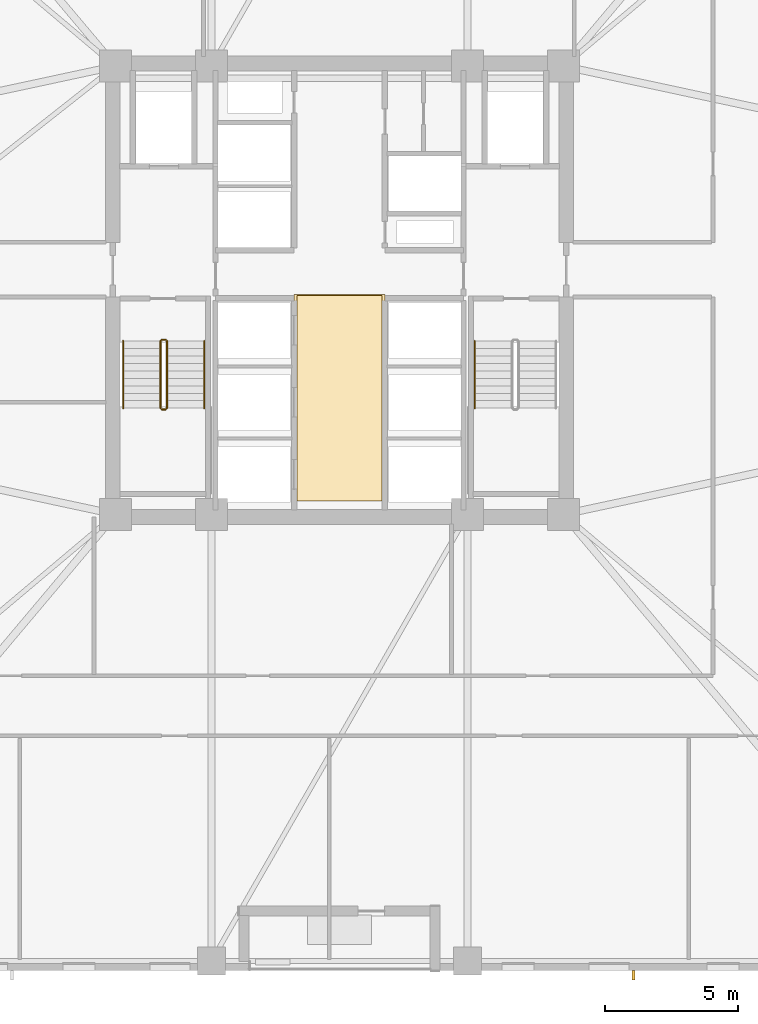
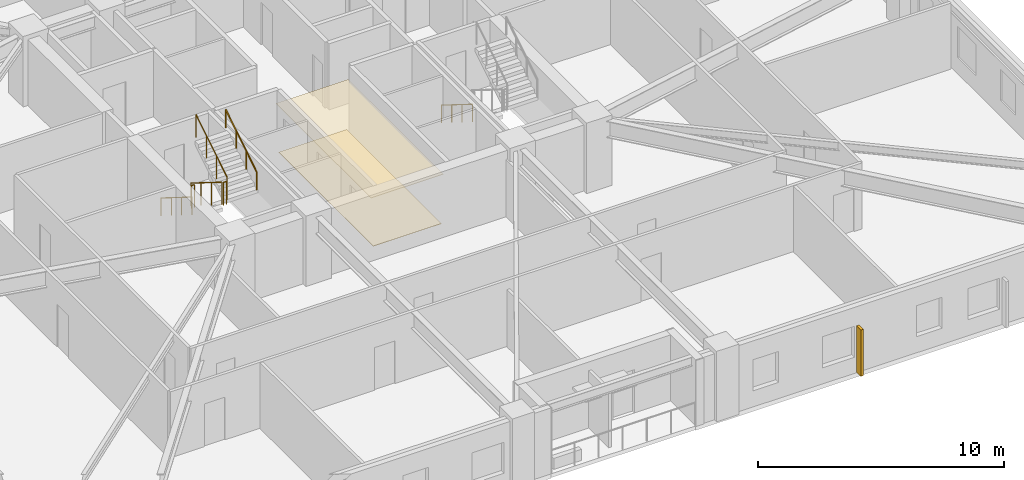
# One storey, part 8 of 11: 7 railings, 2 coverings, 1 shading device.
"""IFC4 building model written with IfcOpenShell, lengths in metres."""

import ifcopenshell
import ifcopenshell.guid

model = None  # the IFC model being written
_history = None  # IfcOwnerHistory: only IFC2X3 demands one
_inside = {}  # id of a spatial element -> (the spatial element, [elements in it])
_under = {}  # id of a project, library or spatial element -> (it, [spatial elements below it])
_declared = {}  # id of a project -> (the project, [libraries it declares])
_typed = {}  # id of a type object -> (the type object, [elements of that type])
_made_of = {}  # id of a material, layer set ... -> (it, [elements and type objects made of it])


def new_model(schema):
    """Start an empty IFC model of exactly this schema.

    Asked for "IFC4X3", IfcOpenShell would pick the latest addendum, in which some entities
    have other attributes; the version numbers below select the first issue.
    IFC2X3 requires an IfcOwnerHistory on every rooted entity: one is made here for all.
    """
    global model, _history
    if schema == "IFC4X3":
        model = ifcopenshell.file(schema_version=(4, 3, 0, 0))
    else:
        model = ifcopenshell.file(schema=schema)
    _inside.clear()
    _under.clear()
    _declared.clear()
    _typed.clear()
    _made_of.clear()
    _history = None
    if model.schema == "IFC2X3":
        org = make("IfcOrganization", Name="unknown")
        user = make(
            "IfcPersonAndOrganization",
            ThePerson=make("IfcPerson", FamilyName="unknown"),
            TheOrganization=org,
        )
        app = make(
            "IfcApplication",
            ApplicationDeveloper=org,
            Version="unknown",
            ApplicationFullName="unknown",
            ApplicationIdentifier="unknown",
        )
        _history = make(
            "IfcOwnerHistory",
            OwningUser=user,
            OwningApplication=app,
            ChangeAction="ADDED",
            CreationDate=0,
        )
    return model


def make(cls, **values):
    """One entity of the class cls with the attributes given. An attribute that is None is left unset."""
    return model.create_entity(
        cls, **{name: value for name, value in values.items() if value is not None}
    )


def rooted(cls, **values):
    """An entity with a GlobalId (a new one), such as an element, a storey or a relation."""
    return make(cls, GlobalId=ifcopenshell.guid.new(), OwnerHistory=_history, **values)


def si_unit(unit_type, name, prefix=None):
    """IfcSIUnit, for example si_unit("LENGTHUNIT", "METRE", prefix="MILLI")."""
    return make("IfcSIUnit", UnitType=unit_type, Prefix=prefix, Name=name)


def assignment(units):
    """IfcUnitAssignment: the units of a project."""
    return None if units is None else make("IfcUnitAssignment", Units=units)


def point(xyz):
    """IfcCartesianPoint."""
    return None if xyz is None else make("IfcCartesianPoint", Coordinates=xyz)


def direction(xyz):
    """IfcDirection."""
    return None if xyz is None else make("IfcDirection", DirectionRatios=xyz)


def frame(location, z_axis=None, x_axis=None):
    """IfcAxis2Placement3D, a coordinate frame: its origin and axes. An axis left out is left unset."""
    return make(
        "IfcAxis2Placement3D",
        Location=point(location),
        Axis=direction(z_axis),
        RefDirection=direction(x_axis),
    )


def frame_2d(location, x_axis=None):
    """IfcAxis2Placement2D, a coordinate frame in the plane: its origin and x axis."""
    return make(
        "IfcAxis2Placement2D", Location=point(location), RefDirection=direction(x_axis)
    )


def origin():
    """The frame at (0, 0, 0) with its axes left unset."""
    return frame((0.0, 0.0, 0.0))


def origin_2d():
    """The frame at (0, 0) in the plane with its x axis left unset."""
    return frame_2d((0.0, 0.0))


def place(relative_to, where):
    """IfcLocalPlacement: puts the frame where relative to a parent placement (None: the world)."""
    return make(
        "IfcLocalPlacement", PlacementRelTo=relative_to, RelativePlacement=where
    )


def context(
    kind, dimensions, precision=None, world=None, true_north=None, identifier=None
):
    """IfcGeometricRepresentationContext, for example the 3D "Model" context."""
    return make(
        "IfcGeometricRepresentationContext",
        ContextIdentifier=identifier,
        ContextType=kind,
        CoordinateSpaceDimension=dimensions,
        Precision=precision,
        WorldCoordinateSystem=world,
        TrueNorth=true_north,
    )


def subcontext(parent, identifier, kind, view, scale=None):
    """IfcGeometricRepresentationSubContext, for example "Body" below "Model"."""
    return make(
        "IfcGeometricRepresentationSubContext",
        ContextIdentifier=identifier,
        ContextType=kind,
        ParentContext=parent,
        TargetScale=scale,
        TargetView=view,
    )


def project(units=None, contexts=None):
    """IfcProject with its units and contexts."""
    return rooted(
        "IfcProject",
        Name="project",
        RepresentationContexts=contexts,
        UnitsInContext=assignment(units),
    )


def spatial(cls, under=None, at=None, **own):
    """A site, building, storey or space (cls), placed at a placement, below another one or the project."""
    s = rooted(cls, ObjectPlacement=at, **own)
    if under is not None:
        _under.setdefault(under.id(), (under, []))[1].append(s)
    return s


def polyline(points):
    """IfcPolyline through the points."""
    return make("IfcPolyline", Points=[point(p) for p in points])


def profile(cls, at=None, kind="AREA", **sizes):
    """A parametric profile (cls). Its sizes go by their IFC names, for example OverallWidth=200.0."""
    return make(cls, ProfileType=kind, Position=at, **sizes)


def rectangle(**sizes):
    """IfcRectangleProfileDef."""
    return profile("IfcRectangleProfileDef", **sizes)


def circle(**sizes):
    """IfcCircleProfileDef."""
    return profile("IfcCircleProfileDef", **sizes)


def outline(outer, holes=None, kind="AREA"):
    """IfcArbitraryClosedProfileDef: a profile drawn as a closed curve; with holes, ...WithVoids."""
    if holes is None:
        return make("IfcArbitraryClosedProfileDef", ProfileType=kind, OuterCurve=outer)
    return make(
        "IfcArbitraryProfileDefWithVoids",
        ProfileType=kind,
        OuterCurve=outer,
        InnerCurves=holes,
    )


def extrude(swept, where, along, depth):
    """IfcExtrudedAreaSolid: the profile swept, set in the frame where, extruded along a direction by depth."""
    return make(
        "IfcExtrudedAreaSolid",
        SweptArea=swept,
        Position=where,
        ExtrudedDirection=direction(along),
        Depth=depth,
    )


def shape(context_of_items, identifier, shape_type, items):
    """IfcShapeRepresentation: the items that make up one representation, for example the "Body"."""
    return make(
        "IfcShapeRepresentation",
        ContextOfItems=context_of_items,
        RepresentationIdentifier=identifier,
        RepresentationType=shape_type,
        Items=items,
    )


def material(Name=None, Category=None):
    """IfcMaterial."""
    return make("IfcMaterial", Name=Name, Category=Category)


def layer(
    of_material, thickness, ventilated=None, Name=None, Category=None, Priority=None
):
    """IfcMaterialLayer: one layer of a wall or slab, of a material (None: an air gap)."""
    return make(
        "IfcMaterialLayer",
        Material=of_material,
        LayerThickness=thickness,
        IsVentilated=ventilated,
        Name=Name,
        Category=Category,
        Priority=Priority,
    )


def layer_set(layers, Name=None):
    """IfcMaterialLayerSet."""
    return make("IfcMaterialLayerSet", MaterialLayers=layers, LayerSetName=Name)


def made_of(thing, what):
    """Note that an element or type object is made of a material, layer set ...; save() writes the relation."""
    if what is not None:
        _made_of.setdefault(what.id(), (what, []))[1].append(thing)
    return thing


def type_object(cls, material=None, **own):
    """A type object (cls), such as IfcWallType, which elements share."""
    return made_of(rooted(cls, **own), material)


def element(
    cls,
    number,
    at=None,
    inside=None,
    cuts=None,
    type_object=None,
    material=None,
    context=None,
    identifier="Body",
    shape_type=None,
    held_by="IfcProductDefinitionShape",
    body=None,
    shapes=None,
    **own,
):
    """One element of the class cls, such as IfcWall. Its Tag is "e" and its number.

    at: its placement. inside: the storey or other place that contains it. cuts: it is an
    opening in that element (IfcRelVoidsElement). A single representation is given by context,
    identifier, shape_type and body (its items); several are given by shapes. held_by: the class
    of the entity that holds the representations. save() writes the other relations.
    """
    e = rooted(cls, Tag="e%d" % number, ObjectPlacement=at, **own)
    if body is not None:
        shapes = [shape(context, identifier, shape_type, body)]
    if shapes is not None:
        e.Representation = make(held_by, Representations=shapes)
    if inside is not None:
        _inside.setdefault(inside.id(), (inside, []))[1].append(e)
    if cuts is not None:
        rooted(
            "IfcRelVoidsElement", RelatingBuildingElement=cuts, RelatedOpeningElement=e
        )
    if type_object is not None:
        _typed.setdefault(type_object.id(), (type_object, []))[1].append(e)
    return made_of(e, material)


def aggregate(whole, parts):
    """IfcRelAggregates: a whole, such as a stair, and the parts it consists of."""
    return rooted("IfcRelAggregates", RelatingObject=whole, RelatedObjects=parts)


def save(model, path):
    """Write the relations noted so far, then the file.

    IfcRelAggregates (storeys below a building ...), IfcRelContainedInSpatialStructure (elements
    in a storey), IfcRelDefinesByType, IfcRelAssociatesMaterial and IfcRelDeclares: one each for
    every whole, place, type object, material and project.
    """
    for whole, parts in _under.values():
        aggregate(whole, parts)
    for where, things in _inside.values():
        rooted(
            "IfcRelContainedInSpatialStructure",
            RelatedElements=things,
            RelatingStructure=where,
        )
    for kind, things in _typed.values():
        rooted("IfcRelDefinesByType", RelatedObjects=things, RelatingType=kind)
    for what, things in _made_of.values():
        rooted("IfcRelAssociatesMaterial", RelatedObjects=things, RelatingMaterial=what)
    for by, libraries in _declared.values():
        rooted("IfcRelDeclares", RelatingContext=by, RelatedDefinitions=libraries)
    model.write(path)


model = new_model("IFC4")

# Units and contexts
model_context = context("Model", 3, precision=1e-05, world=origin(), true_north=direction((0.0, 1.0)))
body_context = subcontext(model_context, "Body", "Model", "MODEL_VIEW")
ifc_project = project(units=[si_unit("LENGTHUNIT", "METRE"), si_unit("AREAUNIT", "SQUARE_METRE"), si_unit("VOLUMEUNIT", "CUBIC_METRE"), si_unit("PLANEANGLEUNIT", "RADIAN"), si_unit("MASSUNIT", "GRAM", prefix="KILO")], contexts=[model_context])

# Site, building, storey
site_placement = place(None, origin())
site = spatial("IfcSite", under=ifc_project, at=site_placement, CompositionType="ELEMENT")
building_placement = place(site_placement, origin())
building = spatial("IfcBuilding", under=site, at=building_placement, Name="Cairnveth Concourse Tower", CompositionType="ELEMENT")
storey_placement = place(building_placement, frame((0.0, 0.0, 37.5)))
storey = spatial("IfcBuildingStorey", under=building, at=storey_placement, Name="L09", CompositionType="ELEMENT", Elevation=37.5)

# Covering
ifc_material_1 = material(Name="Acoustic Mineral Fibre Ceiling", Category="gypsum")
ifc_layer_1 = layer(ifc_material_1, 0.02490234375)
ifc_layer_set_1 = layer_set([ifc_layer_1], Name="Acoustic Mineral Fibre Ceiling")
covering_type_1 = type_object("IfcCoveringType", Name="ACOUSTIC MINERAL FIBRE CEILING 25", PredefinedType="CEILING", material=ifc_layer_set_1)
covering_1_placement = place(storey_placement, frame((0.0, 0.0, 2.424072265625)))
element("IfcCovering", 1, at=covering_1_placement, inside=storey, type_object=covering_type_1, Name="Lift Lobby Acoustic Ceiling L09", PredefinedType="CEILING", context=body_context, shape_type="SweptSolid", body=[
    extrude(outline(polyline([(50.300048828125, 31.10009765625), (53.699951171875, 31.10009765625), (53.699951171875, 38.85009765625), (50.300048828125, 38.85009765625), (50.300048828125, 31.10009765625)])), origin(), (0.0, 0.0, 1.0), 0.02490234375),
])

# Shading device
ifc_material_2 = material(Name="Architectural Bronze Anodised Aluminium 6063-T6", Category="aluminium")
shading_device_type = type_object("IfcShadingDeviceType", Name="GOTHIC BRONZE VERTICAL LANCET FIN", PredefinedType="USERDEFINED", material=ifc_material_2)
shading_device_placement = place(storey_placement, frame((63.021240234375, 13.324951171875, 0.02978515625), z_axis=(0.0, 0.0, 1.0), x_axis=(1.0, 0.0, 0.0)))
element("IfcShadingDevice", 2, at=shading_device_placement, inside=storey, type_object=shading_device_type, Name="Gothic Bronze Vertical Fin L09-12-3", ObjectType="VERTICAL FIN", PredefinedType="USERDEFINED", context=body_context, shape_type="SweptSolid", body=[
    extrude(rectangle(XDim=0.1201171875, YDim=0.360107421875, at=origin_2d()), origin(), (0.0, 0.0, 1.0), 2.303955078125),
])

# Railings
ifc_material_3 = material(Name="Steel Grade 350", Category="steel")
railing_type_1 = type_object("IfcRailingType", Name="STAIR GUARDRAIL 1150", PredefinedType="GUARDRAIL", material=ifc_material_3)
railing_1_placement = place(storey_placement, frame((45.2900390625, 37.10009765625, 0.175048828125)))
element("IfcRailing", 3, at=railing_1_placement, inside=storey, type_object=railing_type_1, Name="L09 ST-1 stair guard 1", PredefinedType="GUARDRAIL", context=body_context, shape_type="SweptSolid", body=[
    extrude(circle(Radius=0.02392578125, at=origin_2d()), frame((0.0, 0.0, 1.1259765625), z_axis=(0.0, -0.848007534815, 0.529984170421), x_axis=(1.0, 0.0, 0.0)), (0.0, 0.0, 1.0), 2.9716796875),
    extrude(circle(Radius=0.02099609375, at=origin_2d()), origin(), (0.0, 0.0, 1.0), 1.101806640625),
    extrude(circle(Radius=0.02099609375, at=origin_2d()), frame((0.0, -0.840087890625, 0.52490234375)), (0.0, 0.0, 1.0), 1.101806640625),
    extrude(circle(Radius=0.02099609375, at=origin_2d()), frame((0.0, -1.679931640625, 1.050048828125)), (0.0, 0.0, 1.0), 1.101806640625),
    extrude(circle(Radius=0.02099609375, at=origin_2d()), frame((0.0, -2.52001953125, 1.574951171875)), (0.0, 0.0, 1.0), 1.101806640625),
])
railing_2_placement = place(storey_placement, frame((45.340087890625, 34.530029296875, 1.75)))
element("IfcRailing", 4, at=railing_2_placement, inside=storey, type_object=railing_type_1, Name="L09 ST-1 stair guard 2", PredefinedType="GUARDRAIL", context=body_context, shape_type="SweptSolid", body=[
    extrude(circle(Radius=0.02392578125, at=origin_2d()), frame((0.0, 0.0, 1.1259765625), z_axis=(1.0, 0.0, 0.0), x_axis=(0.0, 1.0, 0.0)), (0.0, 0.0, 1.0), 0.139892578125),
    extrude(circle(Radius=0.02099609375, at=origin_2d()), origin(), (0.0, 0.0, 1.0), 1.101806640625),
    extrude(circle(Radius=0.02099609375, at=origin_2d()), frame((0.139892578125, 0.0, 0.0)), (0.0, 0.0, 1.0), 1.101806640625),
])
railing_3_placement = place(storey_placement, frame((45.530029296875, 34.580078125, 1.925048828125)))
element("IfcRailing", 5, at=railing_3_placement, inside=storey, type_object=railing_type_1, Name="L09 ST-1 stair guard 3", PredefinedType="GUARDRAIL", context=body_context, shape_type="SweptSolid", body=[
    extrude(circle(Radius=0.02392578125, at=origin_2d()), frame((0.0, 0.0, 1.1259765625), z_axis=(0.0, 0.848007534815, 0.529984170421), x_axis=(-1.0, 0.0, 0.0)), (0.0, 0.0, 1.0), 2.9716796875),
    extrude(circle(Radius=0.02099609375, at=origin_2d()), origin(), (0.0, 0.0, 1.0), 1.101806640625),
    extrude(circle(Radius=0.02099609375, at=origin_2d()), frame((0.0, 0.840087890625, 0.52490234375)), (0.0, 0.0, 1.0), 1.101806640625),
    extrude(circle(Radius=0.02099609375, at=origin_2d()), frame((0.0, 1.679931640625, 1.050048828125)), (0.0, 0.0, 1.0), 1.101806640625),
    extrude(circle(Radius=0.02099609375, at=origin_2d()), frame((0.0, 2.52001953125, 1.574951171875)), (0.0, 0.0, 1.0), 1.101806640625),
])
railing_4_placement = place(storey_placement, frame((45.340087890625, 37.14990234375, 0.0)))
element("IfcRailing", 6, at=railing_4_placement, inside=storey, type_object=railing_type_1, Name="L09 ST-1 stair guard 4", PredefinedType="GUARDRAIL", context=body_context, shape_type="SweptSolid", body=[
    extrude(circle(Radius=0.02392578125, at=origin_2d()), frame((0.0, 0.0, 1.1259765625), z_axis=(1.0, 0.0, 0.0), x_axis=(0.0, 1.0, 0.0)), (0.0, 0.0, 1.0), 0.139892578125),
    extrude(circle(Radius=0.02099609375, at=origin_2d()), origin(), (0.0, 0.0, 1.0), 1.101806640625),
    extrude(circle(Radius=0.02099609375, at=origin_2d()), frame((0.139892578125, 0.0, 0.0)), (0.0, 0.0, 1.0), 1.101806640625),
])
railing_type_2 = type_object("IfcRailingType", Name="STAIR WALL HANDRAIL 900", PredefinedType="HANDRAIL", material=ifc_material_3)
railing_5_placement = place(storey_placement, frame((43.889892578125, 37.10009765625, 0.175048828125)))
element("IfcRailing", 7, at=railing_5_placement, inside=storey, type_object=railing_type_2, Name="L09 ST-1 stair handrail 1", PredefinedType="HANDRAIL", context=body_context, shape_type="SweptSolid", body=[
    extrude(circle(Radius=0.02392578125, at=origin_2d()), frame((0.0, 0.0, 0.8759765625), z_axis=(0.0, -0.848007534815, 0.529984170421), x_axis=(1.0, 0.0, 0.0)), (0.0, 0.0, 1.0), 2.9716796875),
    extrude(circle(Radius=0.02099609375, at=origin_2d()), origin(), (0.0, 0.0, 1.0), 0.851806640625),
    extrude(circle(Radius=0.02099609375, at=origin_2d()), frame((0.0, -0.840087890625, 0.52490234375)), (0.0, 0.0, 1.0), 0.851806640625),
    extrude(circle(Radius=0.02099609375, at=origin_2d()), frame((0.0, -1.679931640625, 1.050048828125)), (0.0, 0.0, 1.0), 0.851806640625),
    extrude(circle(Radius=0.02099609375, at=origin_2d()), frame((0.0, -2.52001953125, 1.574951171875)), (0.0, 0.0, 1.0), 0.851806640625),
])
railing_6_placement = place(storey_placement, frame((46.929931640625, 34.580078125, 1.925048828125)))
element("IfcRailing", 8, at=railing_6_placement, inside=storey, type_object=railing_type_2, Name="L09 ST-1 stair handrail 2", PredefinedType="HANDRAIL", context=body_context, shape_type="SweptSolid", body=[
    extrude(circle(Radius=0.02392578125, at=origin_2d()), frame((0.0, 0.0, 0.8759765625), z_axis=(0.0, 0.848007534815, 0.529984170421), x_axis=(-1.0, 0.0, 0.0)), (0.0, 0.0, 1.0), 2.9716796875),
    extrude(circle(Radius=0.02099609375, at=origin_2d()), origin(), (0.0, 0.0, 1.0), 0.851806640625),
    extrude(circle(Radius=0.02099609375, at=origin_2d()), frame((0.0, 0.840087890625, 0.52490234375)), (0.0, 0.0, 1.0), 0.851806640625),
    extrude(circle(Radius=0.02099609375, at=origin_2d()), frame((0.0, 1.679931640625, 1.050048828125)), (0.0, 0.0, 1.0), 0.851806640625),
    extrude(circle(Radius=0.02099609375, at=origin_2d()), frame((0.0, 2.52001953125, 1.574951171875)), (0.0, 0.0, 1.0), 0.851806640625),
])
railing_7_placement = place(storey_placement, frame((57.070068359375, 37.10009765625, 0.175048828125)))
element("IfcRailing", 9, at=railing_7_placement, inside=storey, type_object=railing_type_2, Name="L09 ST-2 stair handrail 1", PredefinedType="HANDRAIL", context=body_context, shape_type="SweptSolid", body=[
    extrude(circle(Radius=0.02392578125, at=origin_2d()), frame((0.0, 0.0, 0.8759765625), z_axis=(0.0, -0.848007534815, 0.529984170421), x_axis=(1.0, 0.0, 0.0)), (0.0, 0.0, 1.0), 2.9716796875),
    extrude(circle(Radius=0.02099609375, at=origin_2d()), origin(), (0.0, 0.0, 1.0), 0.851806640625),
    extrude(circle(Radius=0.02099609375, at=origin_2d()), frame((0.0, -0.840087890625, 0.52490234375)), (0.0, 0.0, 1.0), 0.851806640625),
    extrude(circle(Radius=0.02099609375, at=origin_2d()), frame((0.0, -1.679931640625, 1.050048828125)), (0.0, 0.0, 1.0), 0.851806640625),
    extrude(circle(Radius=0.02099609375, at=origin_2d()), frame((0.0, -2.52001953125, 1.574951171875)), (0.0, 0.0, 1.0), 0.851806640625),
])

# Covering
ifc_material_4 = material(Name="Vitrified Stoneware Tile Flooring", Category="masonry")
ifc_layer_2 = layer(ifc_material_4, 0.02001953125)
ifc_layer_set_2 = layer_set([ifc_layer_2], Name="Vitrified Stoneware Tile Flooring")
covering_type_2 = type_object("IfcCoveringType", Name="VITRIFIED STONEWARE LOBBY FLOORING 20", PredefinedType="FLOORING", material=ifc_layer_set_2)
covering_2_placement = place(storey_placement, origin())
element("IfcCovering", 10, at=covering_2_placement, inside=storey, type_object=covering_type_2, Name="Lift Lobby Stoneware Flooring L09", PredefinedType="FLOORING", context=body_context, shape_type="SweptSolid", body=[
    extrude(outline(polyline([(50.39990234375, 31.10009765625), (53.60009765625, 31.10009765625), (53.60009765625, 38.800048828125), (50.39990234375, 38.800048828125), (50.39990234375, 31.10009765625)])), origin(), (0.0, 0.0, 1.0), 0.02001953125),
])

save(model, "model.ifc")
